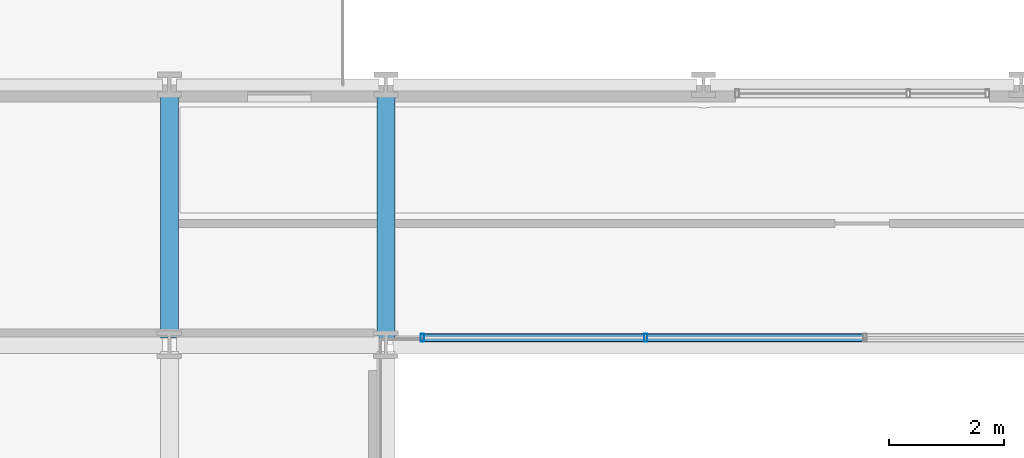
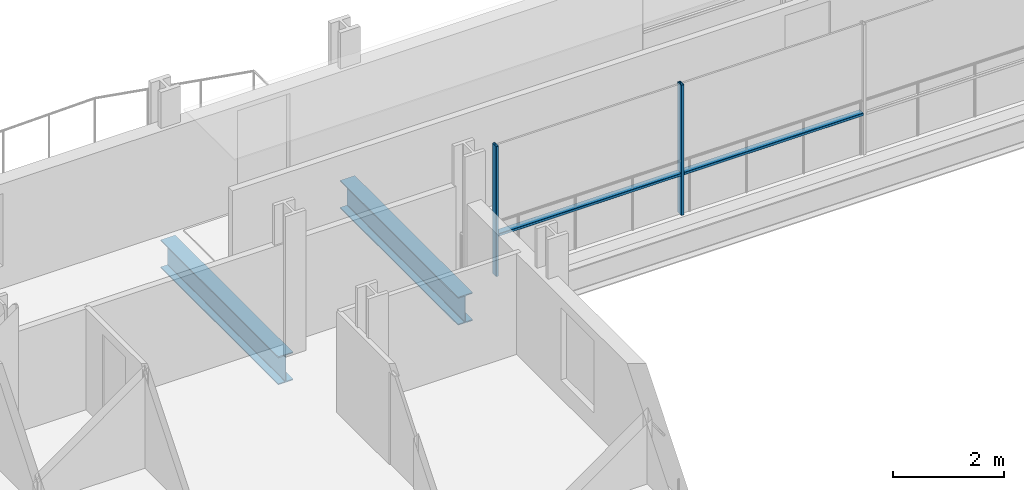
# One storey, part 9 of 40: 4 members, 2 beams, 1 element without a shape of its own.
"""IFC4 building model written with IfcOpenShell, lengths in metres."""

import ifcopenshell
import ifcopenshell.guid

model = None  # the IFC model being written
_history = None  # IfcOwnerHistory: only IFC2X3 demands one
_inside = {}  # id of a spatial element -> (the spatial element, [elements in it])
_under = {}  # id of a project, library or spatial element -> (it, [spatial elements below it])
_declared = {}  # id of a project -> (the project, [libraries it declares])
_typed = {}  # id of a type object -> (the type object, [elements of that type])
_made_of = {}  # id of a material, layer set ... -> (it, [elements and type objects made of it])


def new_model(schema):
    """Start an empty IFC model of exactly this schema.

    Asked for "IFC4X3", IfcOpenShell would pick the latest addendum, in which some entities
    have other attributes; the version numbers below select the first issue.
    IFC2X3 requires an IfcOwnerHistory on every rooted entity: one is made here for all.
    """
    global model, _history
    if schema == "IFC4X3":
        model = ifcopenshell.file(schema_version=(4, 3, 0, 0))
    else:
        model = ifcopenshell.file(schema=schema)
    _inside.clear()
    _under.clear()
    _declared.clear()
    _typed.clear()
    _made_of.clear()
    _history = None
    if model.schema == "IFC2X3":
        org = make("IfcOrganization", Name="unknown")
        user = make(
            "IfcPersonAndOrganization",
            ThePerson=make("IfcPerson", FamilyName="unknown"),
            TheOrganization=org,
        )
        app = make(
            "IfcApplication",
            ApplicationDeveloper=org,
            Version="unknown",
            ApplicationFullName="unknown",
            ApplicationIdentifier="unknown",
        )
        _history = make(
            "IfcOwnerHistory",
            OwningUser=user,
            OwningApplication=app,
            ChangeAction="ADDED",
            CreationDate=0,
        )
    return model


def make(cls, **values):
    """One entity of the class cls with the attributes given. An attribute that is None is left unset."""
    return model.create_entity(
        cls, **{name: value for name, value in values.items() if value is not None}
    )


def rooted(cls, **values):
    """An entity with a GlobalId (a new one), such as an element, a storey or a relation."""
    return make(cls, GlobalId=ifcopenshell.guid.new(), OwnerHistory=_history, **values)


def si_unit(unit_type, name, prefix=None):
    """IfcSIUnit, for example si_unit("LENGTHUNIT", "METRE", prefix="MILLI")."""
    return make("IfcSIUnit", UnitType=unit_type, Prefix=prefix, Name=name)


def assignment(units):
    """IfcUnitAssignment: the units of a project."""
    return None if units is None else make("IfcUnitAssignment", Units=units)


def point(xyz):
    """IfcCartesianPoint."""
    return None if xyz is None else make("IfcCartesianPoint", Coordinates=xyz)


def direction(xyz):
    """IfcDirection."""
    return None if xyz is None else make("IfcDirection", DirectionRatios=xyz)


def frame(location, z_axis=None, x_axis=None):
    """IfcAxis2Placement3D, a coordinate frame: its origin and axes. An axis left out is left unset."""
    return make(
        "IfcAxis2Placement3D",
        Location=point(location),
        Axis=direction(z_axis),
        RefDirection=direction(x_axis),
    )


def frame_2d(location, x_axis=None):
    """IfcAxis2Placement2D, a coordinate frame in the plane: its origin and x axis."""
    return make(
        "IfcAxis2Placement2D", Location=point(location), RefDirection=direction(x_axis)
    )


def origin():
    """The frame at (0, 0, 0) with its axes left unset."""
    return frame((0.0, 0.0, 0.0))


def origin_2d():
    """The frame at (0, 0) in the plane with its x axis left unset."""
    return frame_2d((0.0, 0.0))


def place(relative_to, where):
    """IfcLocalPlacement: puts the frame where relative to a parent placement (None: the world)."""
    return make(
        "IfcLocalPlacement", PlacementRelTo=relative_to, RelativePlacement=where
    )


def context(
    kind, dimensions, precision=None, world=None, true_north=None, identifier=None
):
    """IfcGeometricRepresentationContext, for example the 3D "Model" context."""
    return make(
        "IfcGeometricRepresentationContext",
        ContextIdentifier=identifier,
        ContextType=kind,
        CoordinateSpaceDimension=dimensions,
        Precision=precision,
        WorldCoordinateSystem=world,
        TrueNorth=true_north,
    )


def subcontext(parent, identifier, kind, view, scale=None):
    """IfcGeometricRepresentationSubContext, for example "Body" below "Model"."""
    return make(
        "IfcGeometricRepresentationSubContext",
        ContextIdentifier=identifier,
        ContextType=kind,
        ParentContext=parent,
        TargetScale=scale,
        TargetView=view,
    )


def project(units=None, contexts=None):
    """IfcProject with its units and contexts."""
    return rooted(
        "IfcProject",
        Name="project",
        RepresentationContexts=contexts,
        UnitsInContext=assignment(units),
    )


def spatial(cls, under=None, at=None, **own):
    """A site, building, storey or space (cls), placed at a placement, below another one or the project."""
    s = rooted(cls, ObjectPlacement=at, **own)
    if under is not None:
        _under.setdefault(under.id(), (under, []))[1].append(s)
    return s


def profile(cls, at=None, kind="AREA", **sizes):
    """A parametric profile (cls). Its sizes go by their IFC names, for example OverallWidth=200.0."""
    return make(cls, ProfileType=kind, Position=at, **sizes)


def hollow_rectangle(**sizes):
    """IfcRectangleHollowProfileDef."""
    return profile("IfcRectangleHollowProfileDef", **sizes)


def i_section(**sizes):
    """IfcIShapeProfileDef."""
    return profile("IfcIShapeProfileDef", **sizes)


def extrude(swept, where, along, depth):
    """IfcExtrudedAreaSolid: the profile swept, set in the frame where, extruded along a direction by depth."""
    return make(
        "IfcExtrudedAreaSolid",
        SweptArea=swept,
        Position=where,
        ExtrudedDirection=direction(along),
        Depth=depth,
    )


def shape(context_of_items, identifier, shape_type, items):
    """IfcShapeRepresentation: the items that make up one representation, for example the "Body"."""
    return make(
        "IfcShapeRepresentation",
        ContextOfItems=context_of_items,
        RepresentationIdentifier=identifier,
        RepresentationType=shape_type,
        Items=items,
    )


def material(Name=None, Category=None):
    """IfcMaterial."""
    return make("IfcMaterial", Name=Name, Category=Category)


def layer(
    of_material, thickness, ventilated=None, Name=None, Category=None, Priority=None
):
    """IfcMaterialLayer: one layer of a wall or slab, of a material (None: an air gap)."""
    return make(
        "IfcMaterialLayer",
        Material=of_material,
        LayerThickness=thickness,
        IsVentilated=ventilated,
        Name=Name,
        Category=Category,
        Priority=Priority,
    )


def layer_set(layers, Name=None):
    """IfcMaterialLayerSet."""
    return make("IfcMaterialLayerSet", MaterialLayers=layers, LayerSetName=Name)


def material_profile(
    of_material, cross_section, Name=None, Category=None, Priority=None
):
    """IfcMaterialProfile: a cross section and its material."""
    return make(
        "IfcMaterialProfile",
        Name=Name,
        Material=of_material,
        Profile=cross_section,
        Priority=Priority,
        Category=Category,
    )


def profile_set(profiles, Name=None, composite=None):
    """IfcMaterialProfileSet."""
    return make(
        "IfcMaterialProfileSet",
        Name=Name,
        MaterialProfiles=profiles,
        CompositeProfile=composite,
    )


def made_of(thing, what):
    """Note that an element or type object is made of a material, layer set ...; save() writes the relation."""
    if what is not None:
        _made_of.setdefault(what.id(), (what, []))[1].append(thing)
    return thing


def type_object(cls, material=None, **own):
    """A type object (cls), such as IfcWallType, which elements share."""
    return made_of(rooted(cls, **own), material)


def element(
    cls,
    number,
    at=None,
    inside=None,
    cuts=None,
    type_object=None,
    material=None,
    context=None,
    identifier="Body",
    shape_type=None,
    held_by="IfcProductDefinitionShape",
    body=None,
    shapes=None,
    **own,
):
    """One element of the class cls, such as IfcWall. Its Tag is "e" and its number.

    at: its placement. inside: the storey or other place that contains it. cuts: it is an
    opening in that element (IfcRelVoidsElement). A single representation is given by context,
    identifier, shape_type and body (its items); several are given by shapes. held_by: the class
    of the entity that holds the representations. save() writes the other relations.
    """
    e = rooted(cls, Tag="e%d" % number, ObjectPlacement=at, **own)
    if body is not None:
        shapes = [shape(context, identifier, shape_type, body)]
    if shapes is not None:
        e.Representation = make(held_by, Representations=shapes)
    if inside is not None:
        _inside.setdefault(inside.id(), (inside, []))[1].append(e)
    if cuts is not None:
        rooted(
            "IfcRelVoidsElement", RelatingBuildingElement=cuts, RelatedOpeningElement=e
        )
    if type_object is not None:
        _typed.setdefault(type_object.id(), (type_object, []))[1].append(e)
    return made_of(e, material)


def aggregate(whole, parts):
    """IfcRelAggregates: a whole, such as a stair, and the parts it consists of."""
    return rooted("IfcRelAggregates", RelatingObject=whole, RelatedObjects=parts)


def save(model, path):
    """Write the relations noted so far, then the file.

    IfcRelAggregates (storeys below a building ...), IfcRelContainedInSpatialStructure (elements
    in a storey), IfcRelDefinesByType, IfcRelAssociatesMaterial and IfcRelDeclares: one each for
    every whole, place, type object, material and project.
    """
    for whole, parts in _under.values():
        aggregate(whole, parts)
    for where, things in _inside.values():
        rooted(
            "IfcRelContainedInSpatialStructure",
            RelatedElements=things,
            RelatingStructure=where,
        )
    for kind, things in _typed.values():
        rooted("IfcRelDefinesByType", RelatedObjects=things, RelatingType=kind)
    for what, things in _made_of.values():
        rooted("IfcRelAssociatesMaterial", RelatedObjects=things, RelatingMaterial=what)
    for by, libraries in _declared.values():
        rooted("IfcRelDeclares", RelatingContext=by, RelatedDefinitions=libraries)
    model.write(path)


model = new_model("IFC4")

# Units and contexts
model_context = context("Model", 3, precision=1e-05, world=origin(), true_north=direction((0.0, 1.0)))
body_context = subcontext(model_context, "Body", "Model", "MODEL_VIEW")
ifc_project = project(units=[si_unit("LENGTHUNIT", "METRE"), si_unit("AREAUNIT", "SQUARE_METRE"), si_unit("VOLUMEUNIT", "CUBIC_METRE"), si_unit("PLANEANGLEUNIT", "RADIAN"), si_unit("MASSUNIT", "GRAM", prefix="KILO")], contexts=[model_context])

# Site, building, storey
site_placement = place(None, origin())
site = spatial("IfcSite", under=ifc_project, at=site_placement, CompositionType="ELEMENT")
building_placement = place(site_placement, origin())
building = spatial("IfcBuilding", under=site, at=building_placement, Name="Brevholm Reach", CompositionType="ELEMENT")
storey_placement = place(building_placement, frame((0.0, 0.0, 31.10009765625)))
storey = spatial("IfcBuildingStorey", under=building, at=storey_placement, Name="L07", CompositionType="ELEMENT", Elevation=31.10009765625)

# Beams
ifc_material_1 = material(Name="Structural Steel S355J2", Category="steel")
ifc_material_profile_1 = material_profile(ifc_material_1, i_section(OverallWidth=0.30712890625, OverallDepth=0.6201171875, WebThickness=0.01416015625, FlangeThickness=0.023681640625, FilletRadius=0.0166015625, at=origin_2d()), Name="UKB 610x305x179")
ifc_profile_set_1 = profile_set([ifc_material_profile_1], Name="Structural Steel S355J2")
beam_type = type_object("IfcBeamType", Name="BM-UKB610H", PredefinedType="USERDEFINED", material=ifc_profile_set_1)
for number, where, z_axis, x_axis, name in (
    (1, (18.0, 26.6201171875, -0.540283203125), (0.0, 1.0, 0.0), (-1.0, 0.0, 0.0), "L07 G-06 Framing Beam"),
    (2, (21.75, 26.6201171875, -0.540283203125), (0.0, 1.0, 0.0), (-1.0, 0.0, 0.0), "L07 G-06 Framing Beam"),
):
    element("IfcBeam", number, at=place(storey_placement, frame(where, z_axis=z_axis, x_axis=x_axis)), inside=storey, type_object=beam_type, Name=name, ObjectType="GIRDER", PredefinedType="USERDEFINED", context=body_context, shape_type="SweptSolid", body=[
        extrude(i_section(OverallWidth=0.30712890625, OverallDepth=0.6201171875, WebThickness=0.01416015625, FlangeThickness=0.023681640625, FilletRadius=0.0166015625, at=origin_2d()), origin(), (0.0, 0.0, 1.0), 4.259765625),
    ])

# Curtain wall, members
ifc_material_2 = material(Name="Dark Anodised Aluminium 6063-T6 and Solar-Control Glass", Category="aluminium")
ifc_layer = layer(ifc_material_2, 0.139892578125)
ifc_layer_set = layer_set([ifc_layer], Name="Dark Anodised Aluminium 6063-T6 and Solar-Control Glass")
curtain_wall_type = type_object("IfcCurtainWallType", Name="CW-02", PredefinedType="NOTDEFINED", material=ifc_layer_set)
curtain_wall_placement = place(storey_placement, origin())
curtain_wall = element("IfcCurtainWall", 3, at=curtain_wall_placement, inside=storey, type_object=curtain_wall_type, Name="L07 Curtain Wall CW-02", PredefinedType="NOTDEFINED")
ifc_material_3 = material(Name="Dark Anodised Aluminium 6063-T6", Category="aluminium")
ifc_material_profile_2 = material_profile(ifc_material_3, hollow_rectangle(XDim=0.06005859375, YDim=0.139892578125, WallThickness=0.0048828125, InnerFilletRadius=0.0048828125, OuterFilletRadius=0.010009765625, at=origin_2d()), Name="RHS 140x60x5")
ifc_profile_set_2 = profile_set([ifc_material_profile_2], Name="Dark Anodised Aluminium 6063-T6")
member_type_1 = type_object("IfcMemberType", Name="CWM-140", PredefinedType="MULLION", material=ifc_profile_set_2)
member_1_placement = place(storey_placement, frame((26.25, 26.6201171875, 0.0), z_axis=(0.0, 0.0, 1.0), x_axis=(-1.0, 0.0, 0.0)))
member_1 = element("IfcMember", 4, at=member_1_placement, type_object=member_type_1, Name="CM-140 Mullion 4", PredefinedType="MULLION", context=body_context, shape_type="SweptSolid", body=[
    extrude(hollow_rectangle(XDim=0.06005859375, YDim=0.139892578125, WallThickness=0.0048828125, InnerFilletRadius=0.0048828125, OuterFilletRadius=0.010009765625, at=origin_2d()), origin(), (0.0, 0.0, 1.0), 2.869873046875),
])
member_2_placement = place(storey_placement, frame((22.3798828125, 26.6201171875, 0.0), z_axis=(0.0, 0.0, 1.0), x_axis=(-1.0, 0.0, 0.0)))
member_2 = element("IfcMember", 5, at=member_2_placement, type_object=member_type_1, Name="CM-140 Mullion 5", PredefinedType="MULLION", context=body_context, shape_type="SweptSolid", body=[
    extrude(hollow_rectangle(XDim=0.06005859375, YDim=0.139892578125, WallThickness=0.0048828125, InnerFilletRadius=0.0048828125, OuterFilletRadius=0.010009765625, at=origin_2d()), origin(), (0.0, 0.0, 1.0), 2.869873046875),
])
ifc_material_4 = material(Name="Dark Anodised Aluminium 6063-T6", Category="aluminium")
ifc_material_profile_3 = material_profile(ifc_material_4, hollow_rectangle(XDim=0.06005859375, YDim=0.139892578125, WallThickness=0.0048828125, InnerFilletRadius=0.0048828125, OuterFilletRadius=0.010009765625, at=origin_2d()), Name="RHS 140x60x5")
ifc_profile_set_3 = profile_set([ifc_material_profile_3], Name="Dark Anodised Aluminium 6063-T6")
member_type_2 = type_object("IfcMemberType", Name="CWT-140", PredefinedType="NOTDEFINED", material=ifc_profile_set_3)
member_3_placement = place(storey_placement, frame((30.02001953125, 26.6201171875, 0.89990234375), z_axis=(-1.0, 0.0, 0.0), x_axis=(0.0, 0.0, 1.0)))
member_3 = element("IfcMember", 6, at=member_3_placement, type_object=member_type_2, Name="CT-140 Transom 3.1", ObjectType="TRANSOM", PredefinedType="USERDEFINED", context=body_context, shape_type="SweptSolid", body=[
    extrude(hollow_rectangle(XDim=0.06005859375, YDim=0.139892578125, WallThickness=0.0048828125, InnerFilletRadius=0.0048828125, OuterFilletRadius=0.010009765625, at=origin_2d()), origin(), (0.0, 0.0, 1.0), 3.739990234375),
])
member_4_placement = place(storey_placement, frame((26.219970703125, 26.6201171875, 0.89990234375), z_axis=(-1.0, 0.0, 0.0), x_axis=(0.0, 0.0, 1.0)))
member_4 = element("IfcMember", 7, at=member_4_placement, type_object=member_type_2, Name="CT-140 Transom 4.1", ObjectType="TRANSOM", PredefinedType="USERDEFINED", context=body_context, shape_type="SweptSolid", body=[
    extrude(hollow_rectangle(XDim=0.06005859375, YDim=0.139892578125, WallThickness=0.0048828125, InnerFilletRadius=0.0048828125, OuterFilletRadius=0.010009765625, at=origin_2d()), origin(), (0.0, 0.0, 1.0), 3.81005859375),
])
aggregate(curtain_wall, [member_1, member_2, member_3, member_4])

save(model, "model.ifc")
